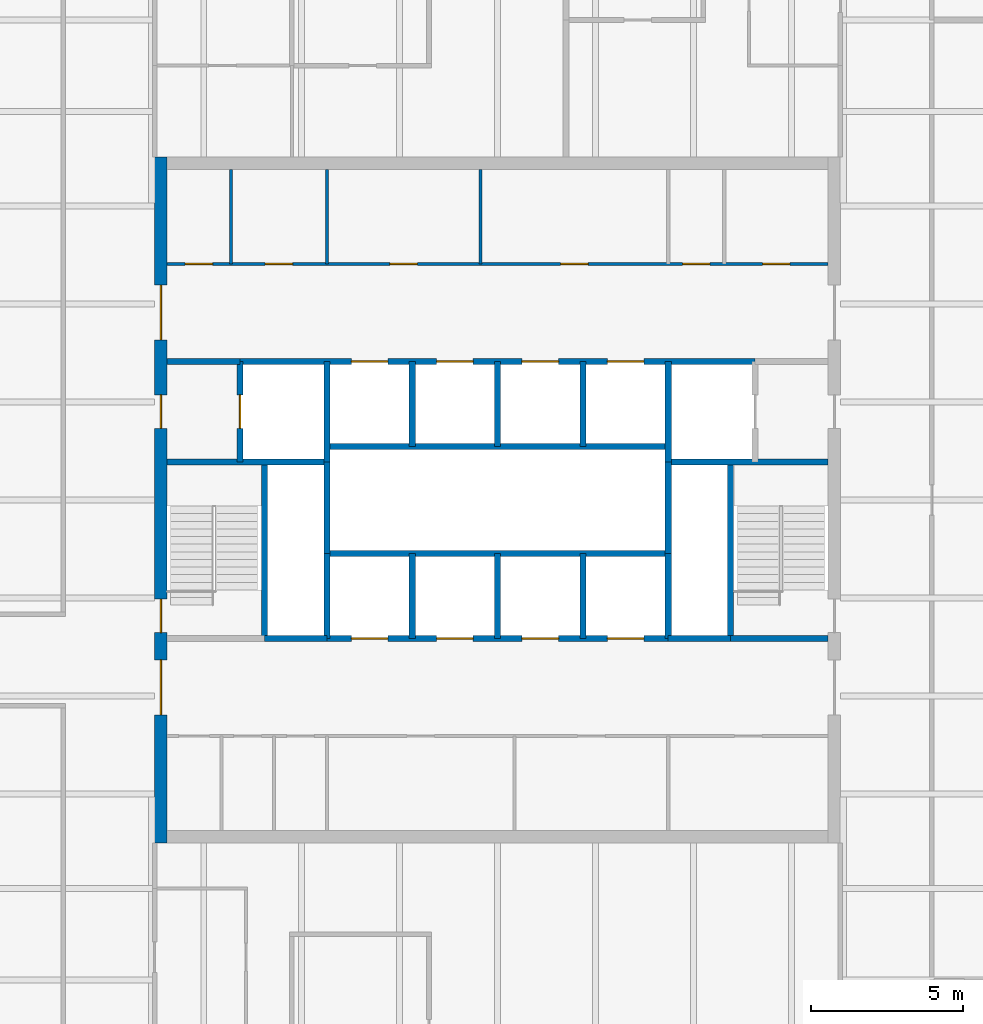
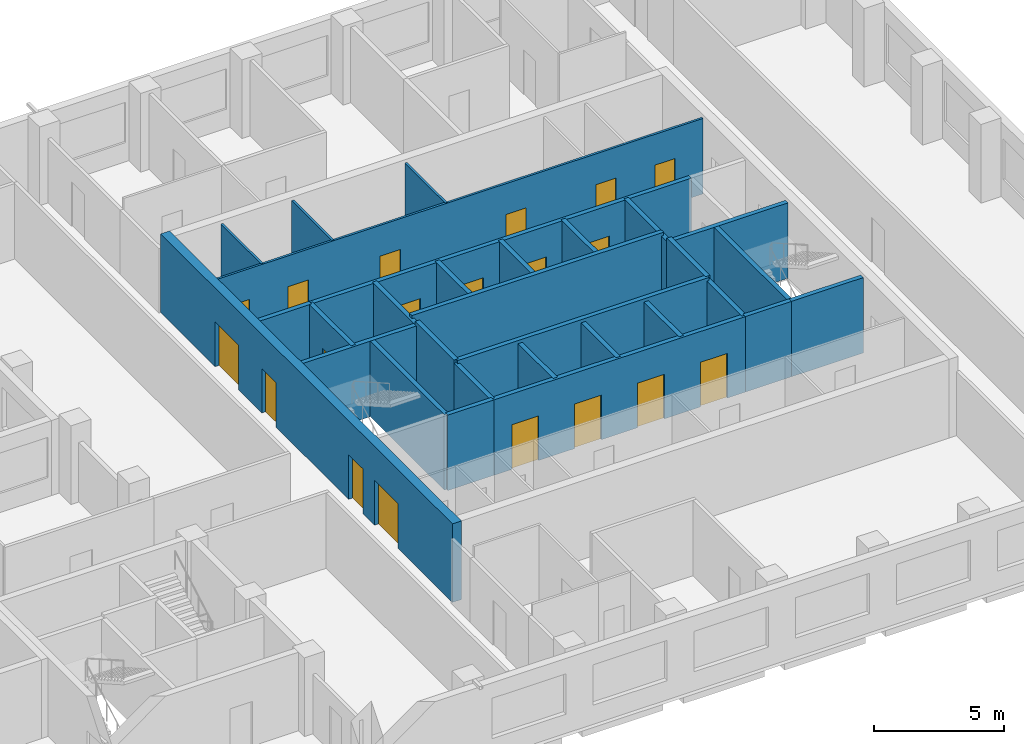
# One storey, part 5 of 9: 30 walls, 19 doors, 19 openings.
"""IFC4 building model written with IfcOpenShell, lengths in metres."""

from ifc_helpers import new_model, si_unit, direction, frame, frame_2d, origin, place, context, subcontext, project, spatial, rectangle, extrude, material, layer, layer_set, type_object, element, fill, save


model = new_model("IFC4")

# Units and contexts
model_context = context("Model", 3, precision=1e-05, world=origin(), true_north=direction((0.0, 1.0)))
body_context = subcontext(model_context, "Body", "Model", "MODEL_VIEW")
ifc_project = project(units=[si_unit("LENGTHUNIT", "METRE"), si_unit("AREAUNIT", "SQUARE_METRE"), si_unit("VOLUMEUNIT", "CUBIC_METRE"), si_unit("PLANEANGLEUNIT", "RADIAN"), si_unit("MASSUNIT", "GRAM", prefix="KILO")], contexts=[model_context])

# Site, building, storey
site_placement = place(None, origin())
site = spatial("IfcSite", under=ifc_project, at=site_placement, CompositionType="ELEMENT")
building_placement = place(site_placement, origin())
building = spatial("IfcBuilding", under=site, at=building_placement, Name="Quoin Convention Tower", CompositionType="ELEMENT")
storey_placement = place(building_placement, frame((0.0, 0.0, 169.89990234375)))
storey = spatial("IfcBuildingStorey", under=building, at=storey_placement, Name="L44", CompositionType="ELEMENT", Elevation=169.89990234375)

# Wall, openings, doors
ifc_material_1 = material(Name="Plasterboard")
ifc_layer_1 = layer(ifc_material_1, 0.012451171875, Name="Finish")
ifc_material_2 = material(Name="Steel stud framing", Category="steel")
ifc_layer_2 = layer(ifc_material_2, 0.074951171875, Name="Structure")
ifc_layer_3 = layer(ifc_material_1, 0.012451171875, Name="Finish")
ifc_layer_set_1 = layer_set([ifc_layer_1, ifc_layer_2, ifc_layer_3], Name="Steel stud framing")
wall_type_1 = type_object("IfcWallType", Name="Core partition wall", PredefinedType="PARTITIONING", material=ifc_layer_set_1)
wall_1_placement = place(storey_placement, frame((45.39990234375, 68.5, 0.0), z_axis=(0.0, 0.0, 1.0), x_axis=(1.0, 0.0, 0.0)))
wall_1 = element("IfcWall", 1, at=wall_1_placement, inside=storey, type_object=wall_type_1, Name="cr-C1-L44-h19000_400", PredefinedType="PARTITIONING", context=body_context, shape_type="SweptSolid", body=[
    extrude(rectangle(XDim=21.7001953125, YDim=0.10009765625, at=frame_2d((10.85009765625, 0.0))), origin(), (0.0, 0.0, 1.0), 3.550048828125),
])
opening_1_placement = place(wall_1_placement, frame((19.543701171875, 0.0, 0.0)))
opening_1 = element("IfcOpeningElement", 2, at=opening_1_placement, cuts=wall_1, Name="Opening DCV3-14", PredefinedType="OPENING", context=body_context, shape_type="SweptSolid", body=[
    extrude(rectangle(XDim=0.89990234375, YDim=2.10009765625, at=frame_2d((0.449951171875, 1.050048828125))), frame((0.0, 0.06005859375, 0.0), z_axis=(0.0, -1.0, 0.0), x_axis=(1.0, 0.0, 0.0)), (0.0, 0.0, 1.0), 0.1201171875),
])
opening_2_placement = place(wall_1_placement, frame((16.918701171875, 0.0, 0.0)))
opening_2 = element("IfcOpeningElement", 3, at=opening_2_placement, cuts=wall_1, Name="Opening DCV3-13", PredefinedType="OPENING", context=body_context, shape_type="SweptSolid", body=[
    extrude(rectangle(XDim=0.89990234375, YDim=2.10009765625, at=frame_2d((0.449951171875, 1.050048828125))), frame((0.0, 0.06005859375, 0.0), z_axis=(0.0, -1.0, 0.0), x_axis=(1.0, 0.0, 0.0)), (0.0, 0.0, 1.0), 0.1201171875),
])
opening_3_placement = place(wall_1_placement, frame((0.60009765625, 0.0, 0.0)))
opening_3 = element("IfcOpeningElement", 4, at=opening_3_placement, cuts=wall_1, Name="Opening DCV3-05", PredefinedType="OPENING", context=body_context, shape_type="SweptSolid", body=[
    extrude(rectangle(XDim=0.89990234375, YDim=2.10009765625, at=frame_2d((0.449951171875, 1.050048828125))), frame((0.0, 0.06005859375, 0.0), z_axis=(0.0, -1.0, 0.0), x_axis=(1.0, 0.0, 0.0)), (0.0, 0.0, 1.0), 0.1201171875),
])
opening_4_placement = place(wall_1_placement, frame((3.22509765625, 0.0, 0.0)))
opening_4 = element("IfcOpeningElement", 5, at=opening_4_placement, cuts=wall_1, Name="Opening DCV3-06", PredefinedType="OPENING", context=body_context, shape_type="SweptSolid", body=[
    extrude(rectangle(XDim=0.89990234375, YDim=2.10009765625, at=frame_2d((0.449951171875, 1.050048828125))), frame((0.0, 0.06005859375, 0.0), z_axis=(0.0, -1.0, 0.0), x_axis=(1.0, 0.0, 0.0)), (0.0, 0.0, 1.0), 0.1201171875),
])
opening_5_placement = place(wall_1_placement, frame((12.919921875, 0.0, 0.0)))
opening_5 = element("IfcOpeningElement", 6, at=opening_5_placement, cuts=wall_1, Name="Opening DCV3-11", PredefinedType="OPENING", context=body_context, shape_type="SweptSolid", body=[
    extrude(rectangle(XDim=0.89990234375, YDim=2.10009765625, at=frame_2d((0.449951171875, 1.050048828125))), frame((0.0, 0.06005859375, 0.0), z_axis=(0.0, -1.0, 0.0), x_axis=(1.0, 0.0, 0.0)), (0.0, 0.0, 1.0), 0.1201171875),
])
opening_6_placement = place(wall_1_placement, frame((7.320068359375, 0.0, 0.0)))
opening_6 = element("IfcOpeningElement", 7, at=opening_6_placement, cuts=wall_1, Name="Opening DCV3-08", PredefinedType="OPENING", context=body_context, shape_type="SweptSolid", body=[
    extrude(rectangle(XDim=0.89990234375, YDim=2.10009765625, at=frame_2d((0.449951171875, 1.050048828125))), frame((0.0, 0.06005859375, 0.0), z_axis=(0.0, -1.0, 0.0), x_axis=(1.0, 0.0, 0.0)), (0.0, 0.0, 1.0), 0.1201171875),
])
ifc_material_3 = material(Name="Steel door leaf", Category="steel")
door_type_1 = type_object("IfcDoorType", Name="Core room door 900 x 2100", OperationType="SINGLE_SWING_LEFT", PredefinedType="DOOR", material=ifc_material_3)
door_1_placement = place(opening_1_placement, origin())
door_1 = element("IfcDoor", 8, at=door_1_placement, inside=storey, type_object=door_type_1, Name="cd-C1-L44-CNE0-lobB-CD4407", OperationType="SINGLE_SWING_LEFT", OverallHeight=2.10009765625, OverallWidth=0.89990234375, PredefinedType="DOOR", context=body_context, shape_type="SweptSolid", body=[
    extrude(rectangle(XDim=0.89990234375, YDim=2.10009765625, at=frame_2d((0.449951171875, 1.050048828125))), frame((0.0, 0.02490234375, 0.0), z_axis=(0.0, -1.0, 0.0), x_axis=(1.0, 0.0, 0.0)), (0.0, 0.0, 1.0), 0.050048828125),
])
fill(opening_1, door_1)
door_2_placement = place(opening_2_placement, origin())
door_2 = element("IfcDoor", 9, at=door_2_placement, inside=storey, type_object=door_type_1, Name="cd-C1-L44-CNE1-lobB-CD4408", OperationType="SINGLE_SWING_RIGHT", OverallHeight=2.10009765625, OverallWidth=0.89990234375, PredefinedType="DOOR", context=body_context, shape_type="SweptSolid", body=[
    extrude(rectangle(XDim=0.89990234375, YDim=2.10009765625, at=frame_2d((0.449951171875, 1.050048828125))), frame((0.0, 0.02490234375, 0.0), z_axis=(0.0, -1.0, 0.0), x_axis=(1.0, 0.0, 0.0)), (0.0, 0.0, 1.0), 0.050048828125),
])
fill(opening_2, door_2)
door_3_placement = place(opening_3_placement, origin())
door_3 = element("IfcDoor", 10, at=door_3_placement, inside=storey, type_object=door_type_1, Name="cd-C1-L44-CNW0-lobB-CD4409", OperationType="SINGLE_SWING_RIGHT", OverallHeight=2.10009765625, OverallWidth=0.89990234375, PredefinedType="DOOR", context=body_context, shape_type="SweptSolid", body=[
    extrude(rectangle(XDim=0.89990234375, YDim=2.10009765625, at=frame_2d((0.449951171875, 1.050048828125))), frame((0.0, 0.02490234375, 0.0), z_axis=(0.0, -1.0, 0.0), x_axis=(1.0, 0.0, 0.0)), (0.0, 0.0, 1.0), 0.050048828125),
])
fill(opening_3, door_3)
door_4_placement = place(opening_4_placement, origin())
door_4 = element("IfcDoor", 11, at=door_4_placement, inside=storey, type_object=door_type_1, Name="cd-C1-L44-CNW1-lobB-CD4410", OperationType="SINGLE_SWING_RIGHT", OverallHeight=2.10009765625, OverallWidth=0.89990234375, PredefinedType="DOOR", context=body_context, shape_type="SweptSolid", body=[
    extrude(rectangle(XDim=0.89990234375, YDim=2.10009765625, at=frame_2d((0.449951171875, 1.050048828125))), frame((0.0, 0.02490234375, 0.0), z_axis=(0.0, -1.0, 0.0), x_axis=(1.0, 0.0, 0.0)), (0.0, 0.0, 1.0), 0.050048828125),
])
fill(opening_4, door_4)
door_5_placement = place(opening_5_placement, origin())
door_5 = element("IfcDoor", 12, at=door_5_placement, inside=storey, type_object=door_type_1, Name="cd-C1-L44-F40-lobB-CD4417", OperationType="SINGLE_SWING_RIGHT", OverallHeight=2.10009765625, OverallWidth=0.89990234375, PredefinedType="DOOR", context=body_context, shape_type="SweptSolid", body=[
    extrude(rectangle(XDim=0.89990234375, YDim=2.10009765625, at=frame_2d((0.449951171875, 1.050048828125))), frame((0.0, 0.02490234375, 0.0), z_axis=(0.0, -1.0, 0.0), x_axis=(1.0, 0.0, 0.0)), (0.0, 0.0, 1.0), 0.050048828125),
])
fill(opening_5, door_5)
door_6_placement = place(opening_6_placement, origin())
door_6 = element("IfcDoor", 13, at=door_6_placement, inside=storey, type_object=door_type_1, Name="cd-C1-L44-F41-lobB-CD4418", OperationType="SINGLE_SWING_RIGHT", OverallHeight=2.10009765625, OverallWidth=0.89990234375, PredefinedType="DOOR", context=body_context, shape_type="SweptSolid", body=[
    extrude(rectangle(XDim=0.89990234375, YDim=2.10009765625, at=frame_2d((0.449951171875, 1.050048828125))), frame((0.0, 0.02490234375, 0.0), z_axis=(0.0, -1.0, 0.0), x_axis=(1.0, 0.0, 0.0)), (0.0, 0.0, 1.0), 0.050048828125),
])
fill(opening_6, door_6)

# Walls
for number, where, z_axis, x_axis, name in (
    (14, (47.5, 68.5, 0.0), (0.0, 0.0, 1.0), (0.0, 1.0, 0.0), "cr-C1-L44-v2500_19000"),
    (15, (50.64990234375, 68.5, 0.0), (0.0, 0.0, 1.0), (0.0, 1.0, 0.0), "cr-C1-L44-v5650_19000"),
    (16, (55.68994140625, 68.5, 0.0), (0.0, 0.0, 1.0), (0.0, 1.0, 0.0), "cr-C1-L44-v10690_19000"),
):
    element("IfcWall", number, at=place(storey_placement, frame(where, z_axis=z_axis, x_axis=x_axis)), inside=storey, type_object=wall_type_1, Name=name, PredefinedType="PARTITIONING", context=body_context, shape_type="SweptSolid", body=[
        extrude(rectangle(XDim=3.10009765625, YDim=0.10009765625, at=frame_2d((1.550048828125, 0.0))), origin(), (0.0, 0.0, 1.0), 3.550048828125),
    ])
ifc_material_4 = material(Name="Concrete C50", Category="concrete")
ifc_layer_4 = layer(ifc_material_4, 0.199951171875)
ifc_layer_set_2 = layer_set([ifc_layer_4], Name="Concrete C50")
wall_type_2 = type_object("IfcWallType", Name="Core shaft wall", PredefinedType="SOLIDWALL", material=ifc_layer_set_2)
for number, where, z_axis, x_axis, name in (
    (17, (48.60009765625, 56.199951171875, 0.0), (0.0, 0.0, 1.0), (1.0, 0.0, 0.0), "cr-C1-L44-h6700_3600"),
    (18, (61.85009765625, 56.199951171875, 0.0), (0.0, 0.0, 1.0), (1.0, 0.0, 0.0), "cr-C1-L44-h6700_16850"),
):
    element("IfcWall", number, at=place(storey_placement, frame(where, z_axis=z_axis, x_axis=x_axis)), inside=storey, type_object=wall_type_2, Name=name, PredefinedType="SOLIDWALL", context=body_context, shape_type="SweptSolid", body=[
        extrude(rectangle(XDim=2.0498046875, YDim=0.199951171875, at=frame_2d((1.02490234375, 0.0))), origin(), (0.0, 0.0, 1.0), 3.550048828125),
    ])

# Wall, openings, doors
wall_2_placement = place(storey_placement, frame((50.64990234375, 56.199951171875, 0.0), z_axis=(0.0, 0.0, 1.0), x_axis=(1.0, 0.0, 0.0)))
wall_2 = element("IfcWall", 19, at=wall_2_placement, inside=storey, type_object=wall_type_2, Name="cr-C1-L44-h6700_5650", PredefinedType="SOLIDWALL", context=body_context, shape_type="SweptSolid", body=[
    extrude(rectangle(XDim=11.2001953125, YDim=0.199951171875, at=frame_2d((5.60009765625, 0.0))), origin(), (0.0, 0.0, 1.0), 3.550048828125),
])
opening_7_placement = place(wall_2_placement, frame((0.800048828125, 0.0, 0.0)))
opening_7 = element("IfcOpeningElement", 20, at=opening_7_placement, cuts=wall_2, Name="Opening LDH1", PredefinedType="OPENING", context=body_context, shape_type="SweptSolid", body=[
    extrude(rectangle(XDim=1.199951171875, YDim=2.10009765625, at=frame_2d((0.60009765625, 1.050048828125))), frame((0.0, 0.10986328125, 0.0), z_axis=(0.0, -1.0, 0.0), x_axis=(1.0, 0.0, 0.0)), (0.0, 0.0, 1.0), 0.219970703125),
])
opening_8_placement = place(wall_2_placement, frame((3.60009765625, 0.0, 0.0)))
opening_8 = element("IfcOpeningElement", 21, at=opening_8_placement, cuts=wall_2, Name="Opening LDH2", PredefinedType="OPENING", context=body_context, shape_type="SweptSolid", body=[
    extrude(rectangle(XDim=1.199951171875, YDim=2.10009765625, at=frame_2d((0.60009765625, 1.050048828125))), frame((0.0, 0.10986328125, 0.0), z_axis=(0.0, -1.0, 0.0), x_axis=(1.0, 0.0, 0.0)), (0.0, 0.0, 1.0), 0.219970703125),
])
opening_9_placement = place(wall_2_placement, frame((6.39990234375, 0.0, 0.0)))
opening_9 = element("IfcOpeningElement", 22, at=opening_9_placement, cuts=wall_2, Name="Opening LDH3", PredefinedType="OPENING", context=body_context, shape_type="SweptSolid", body=[
    extrude(rectangle(XDim=1.199951171875, YDim=2.10009765625, at=frame_2d((0.60009765625, 1.050048828125))), frame((0.0, 0.10986328125, 0.0), z_axis=(0.0, -1.0, 0.0), x_axis=(1.0, 0.0, 0.0)), (0.0, 0.0, 1.0), 0.219970703125),
])
opening_10_placement = place(wall_2_placement, frame((9.199951171875, 0.0, 0.0)))
opening_10 = element("IfcOpeningElement", 23, at=opening_10_placement, cuts=wall_2, Name="Opening LDH4", PredefinedType="OPENING", context=body_context, shape_type="SweptSolid", body=[
    extrude(rectangle(XDim=1.199951171875, YDim=2.10009765625, at=frame_2d((0.60009765625, 1.050048828125))), frame((0.0, 0.10986328125, 0.0), z_axis=(0.0, -1.0, 0.0), x_axis=(1.0, 0.0, 0.0)), (0.0, 0.0, 1.0), 0.219970703125),
])
door_type_2 = type_object("IfcDoorType", Name="Lift landing door 1200 x 2100", OperationType="DOUBLE_DOOR_SLIDING", PredefinedType="DOOR", material=ifc_material_3)
door_7_placement = place(opening_7_placement, origin())
door_7 = element("IfcDoor", 24, at=door_7_placement, inside=storey, type_object=door_type_2, Name="cd-C1-L44-R20-lobA-LDH1", OperationType="DOUBLE_DOOR_SLIDING", OverallHeight=2.10009765625, OverallWidth=1.199951171875, PredefinedType="DOOR", context=body_context, shape_type="SweptSolid", body=[
    extrude(rectangle(XDim=1.199951171875, YDim=2.10009765625, at=frame_2d((0.60009765625, 1.050048828125))), frame((0.0, 0.02490234375, 0.0), z_axis=(0.0, -1.0, 0.0), x_axis=(1.0, 0.0, 0.0)), (0.0, 0.0, 1.0), 0.050048828125),
])
fill(opening_7, door_7)
door_8_placement = place(opening_8_placement, origin())
door_8 = element("IfcDoor", 25, at=door_8_placement, inside=storey, type_object=door_type_2, Name="cd-C1-L44-R21-lobA-LDH2", OperationType="DOUBLE_DOOR_SLIDING", OverallHeight=2.10009765625, OverallWidth=1.199951171875, PredefinedType="DOOR", context=body_context, shape_type="SweptSolid", body=[
    extrude(rectangle(XDim=1.199951171875, YDim=2.10009765625, at=frame_2d((0.60009765625, 1.050048828125))), frame((0.0, 0.02490234375, 0.0), z_axis=(0.0, -1.0, 0.0), x_axis=(1.0, 0.0, 0.0)), (0.0, 0.0, 1.0), 0.050048828125),
])
fill(opening_8, door_8)
door_9_placement = place(opening_9_placement, origin())
door_9 = element("IfcDoor", 26, at=door_9_placement, inside=storey, type_object=door_type_2, Name="cd-C1-L44-R22-lobA-LDH3", OperationType="DOUBLE_DOOR_SLIDING", OverallHeight=2.10009765625, OverallWidth=1.199951171875, PredefinedType="DOOR", context=body_context, shape_type="SweptSolid", body=[
    extrude(rectangle(XDim=1.199951171875, YDim=2.10009765625, at=frame_2d((0.60009765625, 1.050048828125))), frame((0.0, 0.02490234375, 0.0), z_axis=(0.0, -1.0, 0.0), x_axis=(1.0, 0.0, 0.0)), (0.0, 0.0, 1.0), 0.050048828125),
])
fill(opening_9, door_9)
door_10_placement = place(opening_10_placement, origin())
door_10 = element("IfcDoor", 27, at=door_10_placement, inside=storey, type_object=door_type_2, Name="cd-C1-L44-R23-lobA-LDH4", OperationType="DOUBLE_DOOR_SLIDING", OverallHeight=2.10009765625, OverallWidth=1.199951171875, PredefinedType="DOOR", context=body_context, shape_type="SweptSolid", body=[
    extrude(rectangle(XDim=1.199951171875, YDim=2.10009765625, at=frame_2d((0.60009765625, 1.050048828125))), frame((0.0, 0.02490234375, 0.0), z_axis=(0.0, -1.0, 0.0), x_axis=(1.0, 0.0, 0.0)), (0.0, 0.0, 1.0), 0.050048828125),
])
fill(opening_10, door_10)

# Walls
wall_3_placement = place(storey_placement, frame((63.89990234375, 56.199951171875, 0.0), z_axis=(0.0, 0.0, 1.0), x_axis=(1.0, 0.0, 0.0)))
element("IfcWall", 28, at=wall_3_placement, inside=storey, type_object=wall_type_2, Name="cr-C1-L44-h6700_18900", PredefinedType="SOLIDWALL", context=body_context, shape_type="SweptSolid", body=[
    extrude(rectangle(XDim=3.2001953125, YDim=0.199951171875, at=frame_2d((1.60009765625, 0.0))), origin(), (0.0, 0.0, 1.0), 3.550048828125),
])
for number, where, z_axis, x_axis, name in (
    (29, (45.39990234375, 62.0, 0.0), (0.0, 0.0, 1.0), (1.0, 0.0, 0.0), "cr-C1-L44-h12500_400"),
    (30, (61.85009765625, 62.0, 0.0), (0.0, 0.0, 1.0), (1.0, 0.0, 0.0), "cr-C1-L44-h12500_16850"),
):
    element("IfcWall", number, at=place(storey_placement, frame(where, z_axis=z_axis, x_axis=x_axis)), inside=storey, type_object=wall_type_2, Name=name, PredefinedType="SOLIDWALL", context=body_context, shape_type="SweptSolid", body=[
        extrude(rectangle(XDim=5.25, YDim=0.199951171875, at=frame_2d((2.625, 0.0))), origin(), (0.0, 0.0, 1.0), 3.550048828125),
    ])
wall_4_placement = place(storey_placement, frame((45.39990234375, 65.300048828125, 0.0), z_axis=(0.0, 0.0, 1.0), x_axis=(1.0, 0.0, 0.0)))
element("IfcWall", 31, at=wall_4_placement, inside=storey, type_object=wall_type_2, Name="cr-C1-L44-h15800_400", PredefinedType="SOLIDWALL", context=body_context, shape_type="SweptSolid", body=[
    extrude(rectangle(XDim=2.400146484375, YDim=0.199951171875, at=frame_2d((1.2001953125, 0.0))), origin(), (0.0, 0.0, 1.0), 3.550048828125),
])

# Wall, openings, doors
wall_5_placement = place(storey_placement, frame((47.800048828125, 65.300048828125, 0.0), z_axis=(0.0, 0.0, 1.0), x_axis=(1.0, 0.0, 0.0)))
wall_5 = element("IfcWall", 32, at=wall_5_placement, inside=storey, type_object=wall_type_2, Name="cr-C1-L44-h15800_2800", PredefinedType="SOLIDWALL", context=body_context, shape_type="SweptSolid", body=[
    extrude(rectangle(XDim=16.89990234375, YDim=0.199951171875, at=frame_2d((8.449951171875, 0.0))), origin(), (0.0, 0.0, 1.0), 3.550048828125),
])
opening_11_placement = place(wall_5_placement, frame((3.64990234375, 0.0, 0.0)))
opening_11 = element("IfcOpeningElement", 33, at=opening_11_placement, cuts=wall_5, Name="Opening LDH5", PredefinedType="OPENING", context=body_context, shape_type="SweptSolid", body=[
    extrude(rectangle(XDim=1.199951171875, YDim=2.10009765625, at=frame_2d((0.60009765625, 1.050048828125))), frame((0.0, 0.10986328125, 0.0), z_axis=(0.0, -1.0, 0.0), x_axis=(1.0, 0.0, 0.0)), (0.0, 0.0, 1.0), 0.219970703125),
])
opening_12_placement = place(wall_5_placement, frame((6.449951171875, 0.0, 0.0)))
opening_12 = element("IfcOpeningElement", 34, at=opening_12_placement, cuts=wall_5, Name="Opening LDH6", PredefinedType="OPENING", context=body_context, shape_type="SweptSolid", body=[
    extrude(rectangle(XDim=1.199951171875, YDim=2.10009765625, at=frame_2d((0.60009765625, 1.050048828125))), frame((0.0, 0.10986328125, 0.0), z_axis=(0.0, -1.0, 0.0), x_axis=(1.0, 0.0, 0.0)), (0.0, 0.0, 1.0), 0.219970703125),
])
opening_13_placement = place(wall_5_placement, frame((9.25, 0.0, 0.0)))
opening_13 = element("IfcOpeningElement", 35, at=opening_13_placement, cuts=wall_5, Name="Opening LDH7", PredefinedType="OPENING", context=body_context, shape_type="SweptSolid", body=[
    extrude(rectangle(XDim=1.199951171875, YDim=2.10009765625, at=frame_2d((0.60009765625, 1.050048828125))), frame((0.0, 0.10986328125, 0.0), z_axis=(0.0, -1.0, 0.0), x_axis=(1.0, 0.0, 0.0)), (0.0, 0.0, 1.0), 0.219970703125),
])
opening_14_placement = place(wall_5_placement, frame((12.050048828125, 0.0, 0.0)))
opening_14 = element("IfcOpeningElement", 36, at=opening_14_placement, cuts=wall_5, Name="Opening LDH8", PredefinedType="OPENING", context=body_context, shape_type="SweptSolid", body=[
    extrude(rectangle(XDim=1.199951171875, YDim=2.10009765625, at=frame_2d((0.60009765625, 1.050048828125))), frame((0.0, 0.10986328125, 0.0), z_axis=(0.0, -1.0, 0.0), x_axis=(1.0, 0.0, 0.0)), (0.0, 0.0, 1.0), 0.219970703125),
])
door_11_placement = place(opening_11_placement, origin())
door_11 = element("IfcDoor", 37, at=door_11_placement, inside=storey, type_object=door_type_2, Name="cd-C1-L44-R30-lobB-LDH5", OperationType="DOUBLE_DOOR_SLIDING", OverallHeight=2.10009765625, OverallWidth=1.199951171875, PredefinedType="DOOR", context=body_context, shape_type="SweptSolid", body=[
    extrude(rectangle(XDim=1.199951171875, YDim=2.10009765625, at=frame_2d((0.60009765625, 1.050048828125))), frame((0.0, 0.02490234375, 0.0), z_axis=(0.0, -1.0, 0.0), x_axis=(1.0, 0.0, 0.0)), (0.0, 0.0, 1.0), 0.050048828125),
])
fill(opening_11, door_11)
door_12_placement = place(opening_12_placement, origin())
door_12 = element("IfcDoor", 38, at=door_12_placement, inside=storey, type_object=door_type_2, Name="cd-C1-L44-R31-lobB-LDH6", OperationType="DOUBLE_DOOR_SLIDING", OverallHeight=2.10009765625, OverallWidth=1.199951171875, PredefinedType="DOOR", context=body_context, shape_type="SweptSolid", body=[
    extrude(rectangle(XDim=1.199951171875, YDim=2.10009765625, at=frame_2d((0.60009765625, 1.050048828125))), frame((0.0, 0.02490234375, 0.0), z_axis=(0.0, -1.0, 0.0), x_axis=(1.0, 0.0, 0.0)), (0.0, 0.0, 1.0), 0.050048828125),
])
fill(opening_12, door_12)
door_13_placement = place(opening_13_placement, origin())
door_13 = element("IfcDoor", 39, at=door_13_placement, inside=storey, type_object=door_type_2, Name="cd-C1-L44-R32-lobB-LDH7", OperationType="DOUBLE_DOOR_SLIDING", OverallHeight=2.10009765625, OverallWidth=1.199951171875, PredefinedType="DOOR", context=body_context, shape_type="SweptSolid", body=[
    extrude(rectangle(XDim=1.199951171875, YDim=2.10009765625, at=frame_2d((0.60009765625, 1.050048828125))), frame((0.0, 0.02490234375, 0.0), z_axis=(0.0, -1.0, 0.0), x_axis=(1.0, 0.0, 0.0)), (0.0, 0.0, 1.0), 0.050048828125),
])
fill(opening_13, door_13)
door_14_placement = place(opening_14_placement, origin())
door_14 = element("IfcDoor", 40, at=door_14_placement, inside=storey, type_object=door_type_2, Name="cd-C1-L44-R33-lobB-LDH8", OperationType="DOUBLE_DOOR_SLIDING", OverallHeight=2.10009765625, OverallWidth=1.199951171875, PredefinedType="DOOR", context=body_context, shape_type="SweptSolid", body=[
    extrude(rectangle(XDim=1.199951171875, YDim=2.10009765625, at=frame_2d((0.60009765625, 1.050048828125))), frame((0.0, 0.02490234375, 0.0), z_axis=(0.0, -1.0, 0.0), x_axis=(1.0, 0.0, 0.0)), (0.0, 0.0, 1.0), 0.050048828125),
])
fill(opening_14, door_14)

# Wall, opening, door
wall_6_placement = place(storey_placement, frame((47.800048828125, 62.0, 0.0), z_axis=(0.0, 0.0, 1.0), x_axis=(0.0, 1.0, 0.0)))
wall_6 = element("IfcWall", 41, at=wall_6_placement, inside=storey, type_object=wall_type_2, Name="cr-C1-L44-v2800_12500", PredefinedType="SOLIDWALL", context=body_context, shape_type="SweptSolid", body=[
    extrude(rectangle(XDim=3.300048828125, YDim=0.199951171875, at=frame_2d((1.64990234375, 0.0))), origin(), (0.0, 0.0, 1.0), 3.550048828125),
])
opening_15_placement = place(wall_6_placement, frame((1.10009765625, 0.0, 0.0)))
opening_15 = element("IfcOpeningElement", 42, at=opening_15_placement, cuts=wall_6, Name="Opening LDFL1", PredefinedType="OPENING", context=body_context, shape_type="SweptSolid", body=[
    extrude(rectangle(XDim=1.10009765625, YDim=2.10009765625, at=frame_2d((0.550048828125, 1.050048828125))), frame((0.0, 0.10986328125, 0.0), z_axis=(0.0, -1.0, 0.0), x_axis=(1.0, 0.0, 0.0)), (0.0, 0.0, 1.0), 0.219970703125),
])
door_type_3 = type_object("IfcDoorType", Name="Lift landing door 1100 x 2100", OperationType="DOUBLE_DOOR_SLIDING", PredefinedType="DOOR", material=ifc_material_3)
door_15_placement = place(opening_15_placement, origin())
door_15 = element("IfcDoor", 43, at=door_15_placement, inside=storey, type_object=door_type_3, Name="cd-C1-L44-FLW-FFW-LDFL1", OperationType="DOUBLE_DOOR_SLIDING", OverallHeight=2.10009765625, OverallWidth=1.10009765625, PredefinedType="DOOR", context=body_context, shape_type="SweptSolid", body=[
    extrude(rectangle(XDim=1.10009765625, YDim=2.10009765625, at=frame_2d((0.550048828125, 1.050048828125))), frame((0.0, 0.02490234375, 0.0), z_axis=(0.0, -1.0, 0.0), x_axis=(1.0, 0.0, 0.0)), (0.0, 0.0, 1.0), 0.050048828125),
])
fill(opening_15, door_15)

# Walls
wall_7_placement = place(storey_placement, frame((48.60009765625, 56.199951171875, 0.0), z_axis=(0.0, 0.0, 1.0), x_axis=(0.0, 1.0, 0.0)))
element("IfcWall", 44, at=wall_7_placement, inside=storey, type_object=wall_type_2, Name="cr-C1-L44-v3600_6700", PredefinedType="SOLIDWALL", context=body_context, shape_type="SweptSolid", body=[
    extrude(rectangle(XDim=5.800048828125, YDim=0.199951171875, at=frame_2d((2.89990234375, 0.0))), origin(), (0.0, 0.0, 1.0), 3.550048828125),
])
wall_8_placement = place(storey_placement, frame((50.64990234375, 56.199951171875, 0.0), z_axis=(0.0, 0.0, 1.0), x_axis=(0.0, 1.0, 0.0)))
element("IfcWall", 45, at=wall_8_placement, inside=storey, type_object=wall_type_2, Name="cr-C1-L44-v5650_6700", PredefinedType="SOLIDWALL", context=body_context, shape_type="SweptSolid", body=[
    extrude(rectangle(XDim=2.800048828125, YDim=0.199951171875, at=frame_2d((1.39990234375, 0.0))), origin(), (0.0, 0.0, 1.0), 3.550048828125),
])
wall_9_placement = place(storey_placement, frame((50.64990234375, 62.0, 0.0), z_axis=(0.0, 0.0, 1.0), x_axis=(0.0, 1.0, 0.0)))
element("IfcWall", 46, at=wall_9_placement, inside=storey, type_object=wall_type_2, Name="cr-C1-L44-v5650_12500", PredefinedType="SOLIDWALL", context=body_context, shape_type="SweptSolid", body=[
    extrude(rectangle(XDim=3.300048828125, YDim=0.199951171875, at=frame_2d((1.64990234375, 0.0))), origin(), (0.0, 0.0, 1.0), 3.550048828125),
])
for number, where, z_axis, x_axis, name in (
    (47, (53.449951171875, 56.199951171875, 0.0), (0.0, 0.0, 1.0), (0.0, 1.0, 0.0), "cr-C1-L44-v8450_6700"),
    (48, (53.449951171875, 62.5, 0.0), (0.0, 0.0, 1.0), (0.0, 1.0, 0.0), "cr-C1-L44-v8450_13000"),
    (49, (56.25, 56.199951171875, 0.0), (0.0, 0.0, 1.0), (0.0, 1.0, 0.0), "cr-C1-L44-v11250_6700"),
    (50, (56.25, 62.5, 0.0), (0.0, 0.0, 1.0), (0.0, 1.0, 0.0), "cr-C1-L44-v11250_13000"),
    (51, (59.050048828125, 56.199951171875, 0.0), (0.0, 0.0, 1.0), (0.0, 1.0, 0.0), "cr-C1-L44-v14050_6700"),
    (52, (59.050048828125, 62.5, 0.0), (0.0, 0.0, 1.0), (0.0, 1.0, 0.0), "cr-C1-L44-v14050_13000"),
    (53, (61.85009765625, 56.199951171875, 0.0), (0.0, 0.0, 1.0), (0.0, 1.0, 0.0), "cr-C1-L44-v16850_6700"),
):
    element("IfcWall", number, at=place(storey_placement, frame(where, z_axis=z_axis, x_axis=x_axis)), inside=storey, type_object=wall_type_2, Name=name, PredefinedType="SOLIDWALL", context=body_context, shape_type="SweptSolid", body=[
        extrude(rectangle(XDim=2.800048828125, YDim=0.199951171875, at=frame_2d((1.39990234375, 0.0))), origin(), (0.0, 0.0, 1.0), 3.550048828125),
    ])
wall_10_placement = place(storey_placement, frame((61.85009765625, 62.0, 0.0), z_axis=(0.0, 0.0, 1.0), x_axis=(0.0, 1.0, 0.0)))
element("IfcWall", 54, at=wall_10_placement, inside=storey, type_object=wall_type_2, Name="cr-C1-L44-v16850_12500", PredefinedType="SOLIDWALL", context=body_context, shape_type="SweptSolid", body=[
    extrude(rectangle(XDim=3.300048828125, YDim=0.199951171875, at=frame_2d((1.64990234375, 0.0))), origin(), (0.0, 0.0, 1.0), 3.550048828125),
])
wall_11_placement = place(storey_placement, frame((63.89990234375, 56.199951171875, 0.0), z_axis=(0.0, 0.0, 1.0), x_axis=(0.0, 1.0, 0.0)))
element("IfcWall", 55, at=wall_11_placement, inside=storey, type_object=wall_type_2, Name="cr-C1-L44-v18900_6700", PredefinedType="SOLIDWALL", context=body_context, shape_type="SweptSolid", body=[
    extrude(rectangle(XDim=5.800048828125, YDim=0.199951171875, at=frame_2d((2.89990234375, 0.0))), origin(), (0.0, 0.0, 1.0), 3.550048828125),
])
ifc_layer_5 = layer(ifc_material_4, 0.199951171875)
ifc_layer_set_3 = layer_set([ifc_layer_5], Name="Concrete C50")
wall_type_3 = type_object("IfcWallType", Name="Core shaft wall to the floor level over", PredefinedType="SOLIDWALL", material=ifc_layer_set_3)
for number, where, z_axis, x_axis, name in (
    (56, (50.64990234375, 59.0, 0.0), (0.0, 0.0, 1.0), (1.0, 0.0, 0.0), "cr-C1-L44-h9500_5650"),
    (57, (50.64990234375, 62.5, 0.0), (0.0, 0.0, 1.0), (1.0, 0.0, 0.0), "cr-C1-L44-h13000_5650"),
):
    element("IfcWall", number, at=place(storey_placement, frame(where, z_axis=z_axis, x_axis=x_axis)), inside=storey, type_object=wall_type_3, Name=name, PredefinedType="SOLIDWALL", context=body_context, shape_type="SweptSolid", body=[
        extrude(rectangle(XDim=11.2001953125, YDim=0.199951171875, at=frame_2d((5.60009765625, 0.0))), origin(), (0.0, 0.0, 1.0), 3.7001953125),
    ])
for number, where, z_axis, x_axis, name in (
    (58, (50.64990234375, 59.0, 0.0), (0.0, 0.0, 1.0), (0.0, 1.0, 0.0), "cr-C1-L44-v5650_9500"),
    (59, (61.85009765625, 59.0, 0.0), (0.0, 0.0, 1.0), (0.0, 1.0, 0.0), "cr-C1-L44-v16850_9500"),
):
    element("IfcWall", number, at=place(storey_placement, frame(where, z_axis=z_axis, x_axis=x_axis)), inside=storey, type_object=wall_type_3, Name=name, PredefinedType="SOLIDWALL", context=body_context, shape_type="SweptSolid", body=[
        extrude(rectangle(XDim=3.0, YDim=0.199951171875, at=frame_2d((1.5, 0.0))), origin(), (0.0, 0.0, 1.0), 3.7001953125),
    ])

# Wall, openings, doors
ifc_layer_6 = layer(ifc_material_4, 0.39990234375)
ifc_layer_set_4 = layer_set([ifc_layer_6], Name="Concrete C50")
wall_type_4 = type_object("IfcWallType", Name="RC CORE WALL 400 C50", PredefinedType="SHEAR", material=ifc_layer_set_4)
wall_12_placement = place(storey_placement, frame((45.199951171875, 49.5, 0.0), z_axis=(0.0, 0.0, 1.0), x_axis=(0.0, 1.0, 0.0)))
wall_12 = element("IfcWall", 60, at=wall_12_placement, inside=storey, type_object=wall_type_4, Name="cwl-C1-L44-W", PredefinedType="SHEAR", context=body_context, shape_type="SweptSolid", body=[
    extrude(rectangle(XDim=22.5, YDim=0.39990234375, at=frame_2d((11.25, 0.0))), origin(), (0.0, 0.0, 1.0), 3.7001953125),
])
opening_16_placement = place(wall_12_placement, frame((4.199951171875, 0.0, 0.0)))
opening_16 = element("IfcOpeningElement", 61, at=opening_16_placement, cuts=wall_12, Name="Opening DCV3-40", PredefinedType="OPENING", context=body_context, shape_type="SweptSolid", body=[
    extrude(rectangle(XDim=1.800048828125, YDim=2.10009765625, at=frame_2d((0.89990234375, 1.050048828125))), frame((0.0, 0.2099609375, 0.0), z_axis=(0.0, -1.0, 0.0), x_axis=(1.0, 0.0, 0.0)), (0.0, 0.0, 1.0), 0.419921875),
])
opening_17_placement = place(wall_12_placement, frame((6.89990234375, 0.0, 0.0)))
opening_17 = element("IfcOpeningElement", 62, at=opening_17_placement, cuts=wall_12, Name="Opening SD1", PredefinedType="OPENING", context=body_context, shape_type="SweptSolid", body=[
    extrude(rectangle(XDim=1.10009765625, YDim=2.10009765625, at=frame_2d((0.550048828125, 1.050048828125))), frame((0.0, 0.2099609375, 0.0), z_axis=(0.0, -1.0, 0.0), x_axis=(1.0, 0.0, 0.0)), (0.0, 0.0, 1.0), 0.419921875),
])
opening_18_placement = place(wall_12_placement, frame((13.60009765625, 0.0, 0.0)))
opening_18 = element("IfcOpeningElement", 63, at=opening_18_placement, cuts=wall_12, Name="Opening DCV3-39", PredefinedType="OPENING", context=body_context, shape_type="SweptSolid", body=[
    extrude(rectangle(XDim=1.10009765625, YDim=2.10009765625, at=frame_2d((0.550048828125, 1.050048828125))), frame((0.0, 0.2099609375, 0.0), z_axis=(0.0, -1.0, 0.0), x_axis=(1.0, 0.0, 0.0)), (0.0, 0.0, 1.0), 0.419921875),
])
opening_19_placement = place(wall_12_placement, frame((16.5, 0.0, 0.0)))
opening_19 = element("IfcOpeningElement", 64, at=opening_19_placement, cuts=wall_12, Name="Opening DCV3-40", PredefinedType="OPENING", context=body_context, shape_type="SweptSolid", body=[
    extrude(rectangle(XDim=1.800048828125, YDim=2.10009765625, at=frame_2d((0.89990234375, 1.050048828125))), frame((0.0, 0.2099609375, 0.0), z_axis=(0.0, -1.0, 0.0), x_axis=(1.0, 0.0, 0.0)), (0.0, 0.0, 1.0), 0.419921875),
])
door_type_4 = type_object("IfcDoorType", Name="Fire-fighting lobby door 1100 x 2100", OperationType="SINGLE_SWING_LEFT", PredefinedType="DOOR", material=ifc_material_3)
door_16_placement = place(opening_18_placement, frame((1.10009765625, 0.0, 0.0), z_axis=(0.0, 0.0, 1.0), x_axis=(-1.0, 0.0, 0.0)))
door_16 = element("IfcDoor", 65, at=door_16_placement, inside=storey, type_object=door_type_4, Name="cd-C1-L44-FFW-W", OperationType="SINGLE_SWING_LEFT", OverallHeight=2.10009765625, OverallWidth=1.10009765625, PredefinedType="DOOR", context=body_context, shape_type="SweptSolid", body=[
    extrude(rectangle(XDim=1.10009765625, YDim=2.10009765625, at=frame_2d((0.550048828125, 1.050048828125))), frame((0.0, 0.02490234375, 0.0), z_axis=(0.0, -1.0, 0.0), x_axis=(1.0, 0.0, 0.0)), (0.0, 0.0, 1.0), 0.050048828125),
])
fill(opening_18, door_16)
door_type_5 = type_object("IfcDoorType", Name="Lift lobby door 1800 x 2100", OperationType="SINGLE_SWING_LEFT", PredefinedType="DOOR", material=ifc_material_3)
door_17_placement = place(opening_16_placement, frame((1.800048828125, 0.0, 0.0), z_axis=(0.0, 0.0, 1.0), x_axis=(-1.0, 0.0, 0.0)))
door_17 = element("IfcDoor", 66, at=door_17_placement, inside=storey, type_object=door_type_5, Name="cd-C1-L44-lobA-W", OperationType="SINGLE_SWING_LEFT", OverallHeight=2.10009765625, OverallWidth=1.800048828125, PredefinedType="DOOR", context=body_context, shape_type="SweptSolid", body=[
    extrude(rectangle(XDim=1.800048828125, YDim=2.10009765625, at=frame_2d((0.89990234375, 1.050048828125))), frame((0.0, 0.02490234375, 0.0), z_axis=(0.0, -1.0, 0.0), x_axis=(1.0, 0.0, 0.0)), (0.0, 0.0, 1.0), 0.050048828125),
])
fill(opening_16, door_17)
door_18_placement = place(opening_19_placement, frame((1.800048828125, 0.0, 0.0), z_axis=(0.0, 0.0, 1.0), x_axis=(-1.0, 0.0, 0.0)))
door_18 = element("IfcDoor", 67, at=door_18_placement, inside=storey, type_object=door_type_5, Name="cd-C1-L44-lobB-W", OperationType="SINGLE_SWING_LEFT", OverallHeight=2.10009765625, OverallWidth=1.800048828125, PredefinedType="DOOR", context=body_context, shape_type="SweptSolid", body=[
    extrude(rectangle(XDim=1.800048828125, YDim=2.10009765625, at=frame_2d((0.89990234375, 1.050048828125))), frame((0.0, 0.02490234375, 0.0), z_axis=(0.0, -1.0, 0.0), x_axis=(1.0, 0.0, 0.0)), (0.0, 0.0, 1.0), 0.050048828125),
])
fill(opening_19, door_18)
door_type_6 = type_object("IfcDoorType", Name="Stair door 1100 x 2100", OperationType="SINGLE_SWING_RIGHT", PredefinedType="DOOR", material=ifc_material_3)
door_19_placement = place(opening_17_placement, frame((1.10009765625, 0.0, 0.0), z_axis=(0.0, 0.0, 1.0), x_axis=(-1.0, 0.0, 0.0)))
door_19 = element("IfcDoor", 68, at=door_19_placement, inside=storey, type_object=door_type_6, Name="cd-C1-L44-STW-W", OperationType="SINGLE_SWING_RIGHT", OverallHeight=2.10009765625, OverallWidth=1.10009765625, PredefinedType="DOOR", context=body_context, shape_type="SweptSolid", body=[
    extrude(rectangle(XDim=1.10009765625, YDim=2.10009765625, at=frame_2d((0.550048828125, 1.050048828125))), frame((0.0, 0.02490234375, 0.0), z_axis=(0.0, -1.0, 0.0), x_axis=(1.0, 0.0, 0.0)), (0.0, 0.0, 1.0), 0.050048828125),
])
fill(opening_17, door_19)

save(model, "model.ifc")
